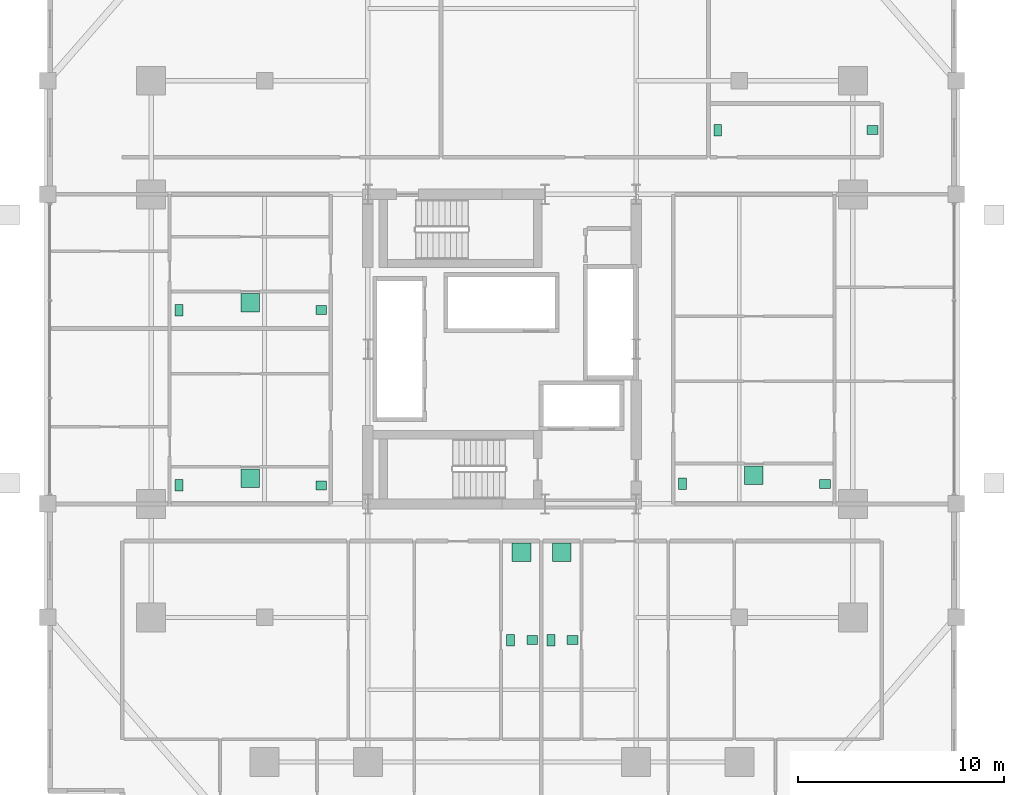
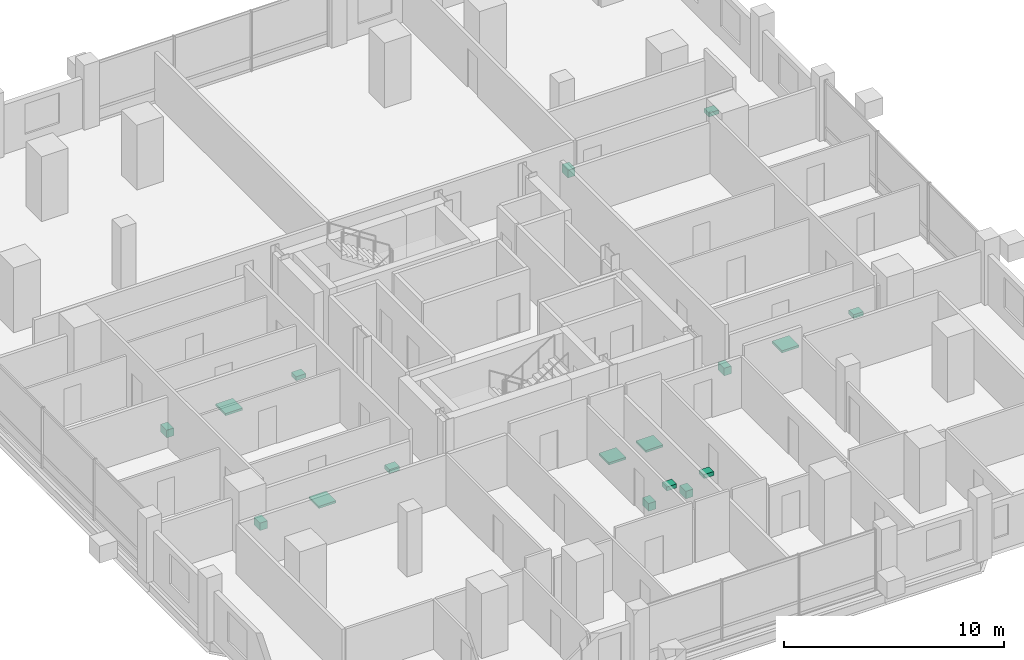
# One storey, part 23 of 23: 17 sanitary terminals.
"""IFC4 building model written with IfcOpenShell, lengths in metres."""

from ifc_helpers import new_model, si_unit, direction, frame, origin, origin_2d, place, context, subcontext, project, spatial, rectangle, extrude, material, type_object, element, save


model = new_model("IFC4")

# Units and contexts
model_context = context("Model", 3, precision=1e-05, world=origin(), true_north=direction((0.0, 1.0)))
body_context = subcontext(model_context, "Body", "Model", "MODEL_VIEW")
ifc_project = project(units=[si_unit("LENGTHUNIT", "METRE"), si_unit("AREAUNIT", "SQUARE_METRE"), si_unit("VOLUMEUNIT", "CUBIC_METRE"), si_unit("PLANEANGLEUNIT", "RADIAN"), si_unit("MASSUNIT", "GRAM", prefix="KILO")], contexts=[model_context])

# Site, building, storey
site_placement = place(None, origin())
site = spatial("IfcSite", under=ifc_project, at=site_placement, CompositionType="ELEMENT")
building_placement = place(site_placement, origin())
building = spatial("IfcBuilding", under=site, at=building_placement, Name="Barlavira Tower and Art Museum", CompositionType="ELEMENT")
storey_placement = place(building_placement, frame((0.0, 0.0, 54.0)))
storey = spatial("IfcBuildingStorey", under=building, at=storey_placement, Name="L12", CompositionType="ELEMENT", Elevation=54.0)

# Sanitary terminals
ifc_material = material(Name="Vitreous glazed ceramic", Category="ceramic")
sanitary_terminal_type_1 = type_object("IfcSanitaryTerminalType", Name="Countertop Ceramic Wash Hand Basin", PredefinedType="WASHHANDBASIN", material=ifc_material)
for number, where, z_axis, x_axis, name in (
    (1, (1.469970703125, -14.10009765625, 0.740234375), (0.0, 0.0, 1.0), (1.0, 0.0, 0.0), "L12-S1-BTH1 Wash Basin"),
    (2, (3.419921875, -14.10009765625, 0.740234375), (0.0, 0.0, 1.0), (1.0, 0.0, 0.0), "L12-S2-BTH1 Wash Basin"),
    (3, (17.949951171875, 10.610107421875, 0.740234375), (0.0, 0.0, 1.0), (1.0, 0.0, 0.0), "L12-N-SWC Wash Basin"),
    (4, (-8.75, -6.60009765625, 0.740234375), (0.0, 0.0, 1.0), (1.0, 0.0, 0.0), "L12-W1-BTH1 Wash Basin"),
    (5, (-8.75, 1.889892578125, 0.740234375), (0.0, 0.0, 1.0), (1.0, 0.0, 0.0), "L12-W2-BTH1 Wash Basin"),
    (6, (15.64990234375, -6.52490234375, 0.740234375), (0.0, 0.0, 1.0), (1.0, 0.0, 0.0), "L12-E1-BTH1 Wash Basin"),
):
    element("IfcSanitaryTerminal", number, at=place(storey_placement, frame(where, z_axis=z_axis, x_axis=x_axis)), inside=storey, type_object=sanitary_terminal_type_1, Name=name, PredefinedType="WASHHANDBASIN", context=body_context, shape_type="SweptSolid", body=[
        extrude(rectangle(XDim=0.52001953125, YDim=0.43994140625, at=origin_2d()), origin(), (0.0, 0.0, 1.0), 0.219970703125),
    ])
sanitary_terminal_type_2 = type_object("IfcSanitaryTerminalType", Name="Walk-In Thermostatic Rain Shower Unit", PredefinedType="SHOWER", material=ifc_material)
for number, where, z_axis, x_axis, name in (
    (7, (0.945068359375, -9.85009765625, 0.0), (0.0, 0.0, 1.0), (1.0, 0.0, 0.0), "L12-S1-BTH1 Rain Shower"),
    (8, (2.89501953125, -9.85009765625, 0.0), (0.0, 0.0, 1.0), (1.0, 0.0, 0.0), "L12-S2-BTH1 Rain Shower"),
    (9, (-12.199951171875, -6.25, 0.0), (0.0, 0.0, 1.0), (1.0, 0.0, 0.0), "L12-W1-BTH1 Rain Shower"),
    (10, (-12.199951171875, 2.239990234375, 0.0), (0.0, 0.0, 1.0), (1.0, 0.0, 0.0), "L12-W2-BTH1 Rain Shower"),
    (11, (12.199951171875, -6.10009765625, 0.0), (0.0, 0.0, 1.0), (1.0, 0.0, 0.0), "L12-E1-BTH1 Rain Shower"),
):
    element("IfcSanitaryTerminal", number, at=place(storey_placement, frame(where, z_axis=z_axis, x_axis=x_axis)), inside=storey, type_object=sanitary_terminal_type_2, Name=name, PredefinedType="SHOWER", context=body_context, shape_type="SweptSolid", body=[
        extrude(rectangle(XDim=0.89990234375, YDim=0.89990234375, at=origin_2d()), origin(), (0.0, 0.0, 1.0), 0.1201171875),
    ])
sanitary_terminal_type_3 = type_object("IfcSanitaryTerminalType", Name="Wall-Hung Dual-Flush Vitreous WC Pan", PredefinedType="TOILETPAN", material=ifc_material)
for number, where, z_axis, x_axis, name in (
    (12, (0.419921875, -14.10009765625, 0.0), (0.0, 0.0, 1.0), (1.0, 0.0, 0.0), "L12-S1-BTH1 WC Pan"),
    (13, (2.3701171875, -14.10009765625, 0.0), (0.0, 0.0, 1.0), (1.0, 0.0, 0.0), "L12-S2-BTH1 WC Pan"),
    (14, (10.449951171875, 10.610107421875, 0.0), (0.0, 0.0, 1.0), (1.0, 0.0, 0.0), "L12-N-SWC WC Pan"),
    (15, (-15.64990234375, -6.60009765625, 0.0), (0.0, 0.0, 1.0), (1.0, 0.0, 0.0), "L12-W1-BTH1 WC Pan"),
    (16, (-15.64990234375, 1.889892578125, 0.0), (0.0, 0.0, 1.0), (1.0, 0.0, 0.0), "L12-W2-BTH1 WC Pan"),
    (17, (8.75, -6.52490234375, 0.0), (0.0, 0.0, 1.0), (1.0, 0.0, 0.0), "L12-E1-BTH1 WC Pan"),
):
    element("IfcSanitaryTerminal", number, at=place(storey_placement, frame(where, z_axis=z_axis, x_axis=x_axis)), inside=storey, type_object=sanitary_terminal_type_3, Name=name, PredefinedType="TOILETPAN", context=body_context, shape_type="SweptSolid", body=[
        extrude(rectangle(XDim=0.3798828125, YDim=0.56005859375, at=origin_2d()), origin(), (0.0, 0.0, 1.0), 0.419921875),
    ])

save(model, "model.ifc")
